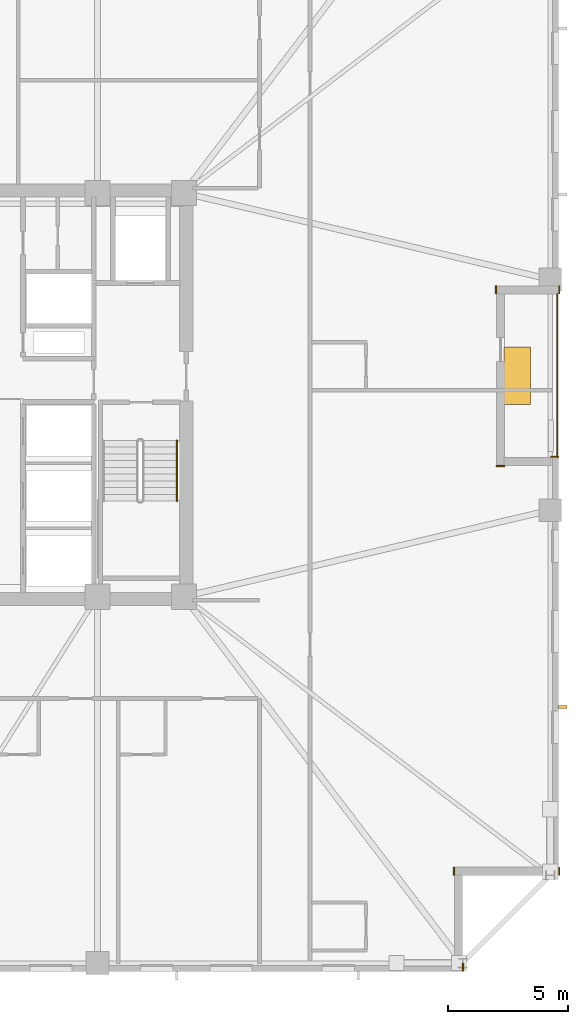
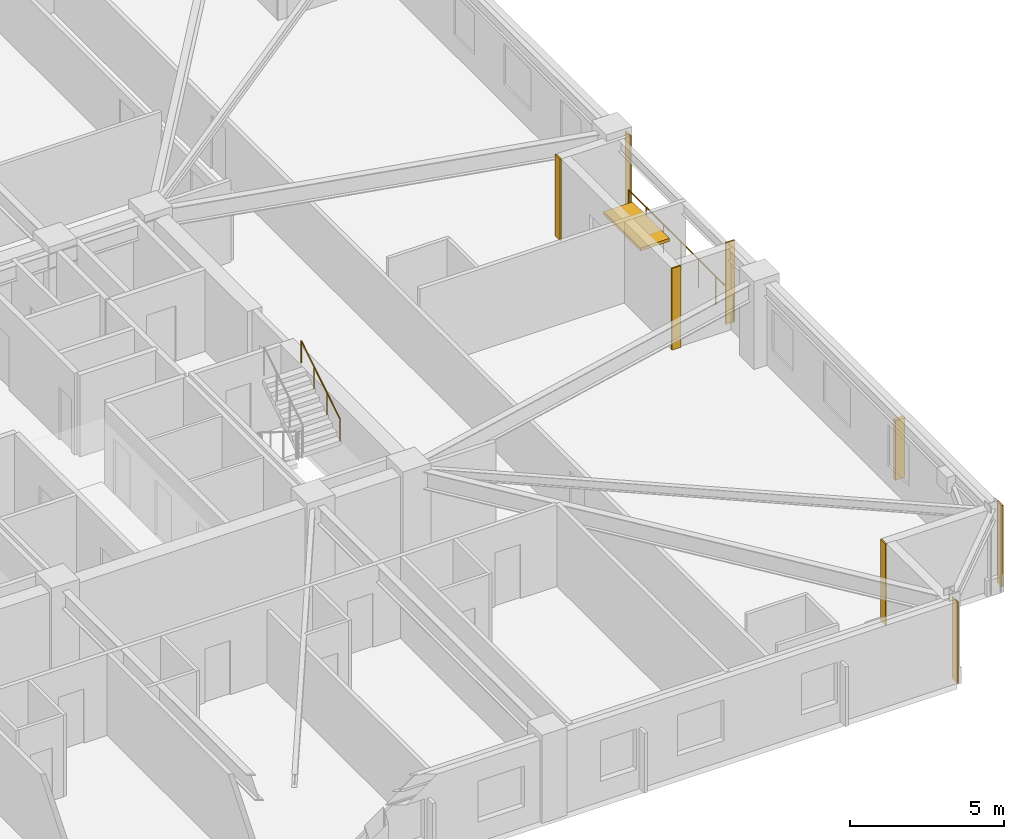
# One storey, part 9 of 11: 7 coverings, 2 railings, 2 shading devices.
"""IFC4 building model written with IfcOpenShell, lengths in metres."""

from ifc_helpers import new_model, si_unit, direction, frame, frame_2d, origin, origin_2d, place, context, subcontext, project, spatial, rectangle, circle, extrude, material, layer, layer_set, type_object, element, save


model = new_model("IFC4")

# Units and contexts
model_context = context("Model", 3, precision=1e-05, world=origin(), true_north=direction((0.0, 1.0)))
body_context = subcontext(model_context, "Body", "Model", "MODEL_VIEW")
ifc_project = project(units=[si_unit("LENGTHUNIT", "METRE"), si_unit("AREAUNIT", "SQUARE_METRE"), si_unit("VOLUMEUNIT", "CUBIC_METRE"), si_unit("PLANEANGLEUNIT", "RADIAN"), si_unit("MASSUNIT", "GRAM", prefix="KILO")], contexts=[model_context])

# Site, building, storey
site_placement = place(None, origin())
site = spatial("IfcSite", under=ifc_project, at=site_placement, CompositionType="ELEMENT")
building_placement = place(site_placement, origin())
building = spatial("IfcBuilding", under=site, at=building_placement, Name="Cairnveth Concourse Tower", CompositionType="ELEMENT")
storey_placement = place(building_placement, frame((0.0, 0.0, 190.0)))
storey = spatial("IfcBuildingStorey", under=building, at=storey_placement, Name="L52", CompositionType="ELEMENT", Elevation=190.0)

# Coverings
ifc_material_1 = material(Name="Dressed Melbourne Bluestone Cladding", Category="masonry")
ifc_layer = layer(ifc_material_1, 0.050048828125)
ifc_layer_set = layer_set([ifc_layer], Name="Dressed Melbourne Bluestone Cladding")
covering_type = type_object("IfcCoveringType", Name="DRESSED BLUESTONE PLINTH CLADDING 50", PredefinedType="CLADDING", material=ifc_layer_set)
for number, where, z_axis, x_axis, name in (
    (1, (75.659912109375, 36.419921875, 0.0), (0.0, 0.0, 1.0), (1.0, 0.0, 0.0), "Melbourne Bluestone Corner Quoin L52-771"),
    (2, (76.02001953125, 19.340087890625, 0.0), (0.0, 0.0, 1.0), (0.0, -1.0, 0.0), "Melbourne Bluestone Corner Quoin L52-772"),
    (3, (71.639892578125, 19.340087890625, 0.0), (0.0, 0.0, 1.0), (0.0, -1.0, 0.0), "Melbourne Bluestone Corner Quoin L52-773"),
    (4, (72.02001953125, 15.340087890625, 0.0), (0.0, 0.0, 1.0), (0.0, -1.0, 0.0), "Melbourne Bluestone Corner Quoin L52-774"),
    (5, (76.02001953125, 43.5400390625, 0.0), (0.0, 0.0, 1.0), (0.0, -1.0, 0.0), "Melbourne Bluestone Corner Quoin L52-784"),
    (6, (73.389892578125, 43.5400390625, 0.0), (0.0, 0.0, 1.0), (0.0, -1.0, 0.0), "Melbourne Bluestone Corner Quoin L52-785"),
    (7, (73.409912109375, 36.0400390625, 0.0), (0.0, 0.0, 1.0), (1.0, 0.0, 0.0), "Melbourne Bluestone Corner Quoin L52-786"),
):
    element("IfcCovering", number, at=place(storey_placement, frame(where, z_axis=z_axis, x_axis=x_axis)), inside=storey, type_object=covering_type, Name=name, PredefinedType="CLADDING", context=body_context, shape_type="SweptSolid", body=[
        extrude(rectangle(XDim=0.340087890625, YDim=0.050048828125, at=frame_2d((0.169921875, 0.0))), origin(), (0.0, 0.0, 1.0), 3.239990234375),
    ])

# Shading devices
ifc_material_2 = material(Name="Architectural Bronze Anodised Aluminium 6063-T6", Category="aluminium")
shading_device_type_1 = type_object("IfcShadingDeviceType", Name="GOTHIC BRONZE VERTICAL LANCET FIN", PredefinedType="USERDEFINED", material=ifc_material_2)
shading_device_1_placement = place(storey_placement, frame((76.175048828125, 26.0, 0.030029296875), z_axis=(0.0, 0.0, 1.0), x_axis=(0.0, 1.0, 0.0)))
element("IfcShadingDevice", 8, at=shading_device_1_placement, inside=storey, type_object=shading_device_type_1, Name="Gothic Bronze Vertical Fin L52-0-3", ObjectType="VERTICAL FIN", PredefinedType="USERDEFINED", context=body_context, shape_type="SweptSolid", body=[
    extrude(rectangle(XDim=0.1201171875, YDim=0.360107421875, at=origin_2d()), origin(), (0.0, 0.0, 1.0), 2.3798828125),
])
shading_device_type_2 = type_object("IfcShadingDeviceType", Name="SPIRAL TERRACE SUNSHADE CANOPY", PredefinedType="USERDEFINED", material=ifc_material_2)
shading_device_2_placement = place(storey_placement, frame((74.27001953125, 39.800048828125, 2.260009765625), z_axis=(0.0, 0.0, 1.0), x_axis=(1.0, 0.0, 0.0)))
element("IfcShadingDevice", 9, at=shading_device_2_placement, inside=storey, type_object=shading_device_type_2, Name="Spiral Terrace Sunshade L52", ObjectType="TERRACE SUNSHADE", PredefinedType="USERDEFINED", context=body_context, shape_type="SweptSolid", body=[
    extrude(rectangle(XDim=1.10009765625, YDim=2.39990234375, at=origin_2d()), origin(), (0.0, 0.0, 1.0), 0.1201171875),
])

# Railings
ifc_material_3 = material(Name="Steel Grade 350", Category="steel")
railing_type_1 = type_object("IfcRailingType", Name="STAIR WALL HANDRAIL 900", PredefinedType="HANDRAIL", material=ifc_material_3)
railing_1_placement = place(storey_placement, frame((60.110107421875, 34.580078125, 1.925048828125)))
element("IfcRailing", 10, at=railing_1_placement, inside=storey, type_object=railing_type_1, Name="L52 ST-2 stair handrail 2", PredefinedType="HANDRAIL", context=body_context, shape_type="SweptSolid", body=[
    extrude(circle(Radius=0.02392578125, at=origin_2d()), frame((0.0, 0.0, 0.8759765625), z_axis=(0.0, 0.848007534815, 0.529984170421), x_axis=(-1.0, 0.0, 0.0)), (0.0, 0.0, 1.0), 2.9716796875),
    extrude(circle(Radius=0.02099609375, at=origin_2d()), origin(), (0.0, 0.0, 1.0), 0.851806640625),
    extrude(circle(Radius=0.02099609375, at=origin_2d()), frame((0.0, 0.840087890625, 0.52490234375)), (0.0, 0.0, 1.0), 0.851806640625),
    extrude(circle(Radius=0.02099609375, at=origin_2d()), frame((0.0, 1.679931640625, 1.050048828125)), (0.0, 0.0, 1.0), 0.851806640625),
    extrude(circle(Radius=0.02099609375, at=origin_2d()), frame((0.0, 2.52001953125, 1.574951171875)), (0.0, 0.0, 1.0), 0.851806640625),
])
railing_type_2 = type_object("IfcRailingType", Name="TERRACE BRONZE BALUSTRADE 1150", PredefinedType="BALUSTRADE", material=ifc_material_2)
railing_2_placement = place(storey_placement, frame((75.93994140625, 36.39990234375, 0.0)))
element("IfcRailing", 11, at=railing_2_placement, inside=storey, type_object=railing_type_2, Name="Terrace Balustrade RL-L52-TERR", PredefinedType="BALUSTRADE", context=body_context, shape_type="SweptSolid", body=[
    extrude(circle(Radius=0.02490234375, at=origin_2d()), frame((0.0, 0.0, 1.125), z_axis=(0.0, 1.0, 0.0), x_axis=(-1.0, 0.0, 0.0)), (0.0, 0.0, 1.0), 6.800048828125),
    extrude(circle(Radius=0.02099609375, at=origin_2d()), origin(), (0.0, 0.0, 1.0), 1.099853515625),
    extrude(circle(Radius=0.02099609375, at=origin_2d()), frame((0.0, 1.13330078125, 0.0)), (0.0, 0.0, 1.0), 1.099853515625),
    extrude(circle(Radius=0.02099609375, at=origin_2d()), frame((0.0, 2.2666015625, 0.0)), (0.0, 0.0, 1.0), 1.099853515625),
    extrude(circle(Radius=0.02099609375, at=origin_2d()), frame((0.0, 3.39990234375, 0.0)), (0.0, 0.0, 1.0), 1.099853515625),
    extrude(circle(Radius=0.02099609375, at=origin_2d()), frame((0.0, 4.533447265625, 0.0)), (0.0, 0.0, 1.0), 1.099853515625),
    extrude(circle(Radius=0.02099609375, at=origin_2d()), frame((0.0, 5.666748046875, 0.0)), (0.0, 0.0, 1.0), 1.099853515625),
    extrude(circle(Radius=0.02099609375, at=origin_2d()), frame((0.0, 6.800048828125, 0.0)), (0.0, 0.0, 1.0), 1.099853515625),
])

save(model, "model.ifc")
